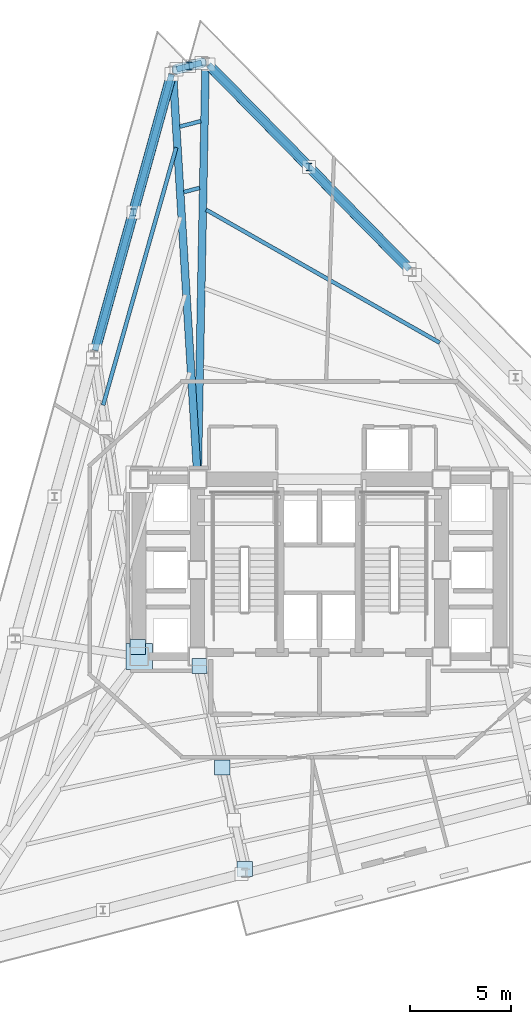
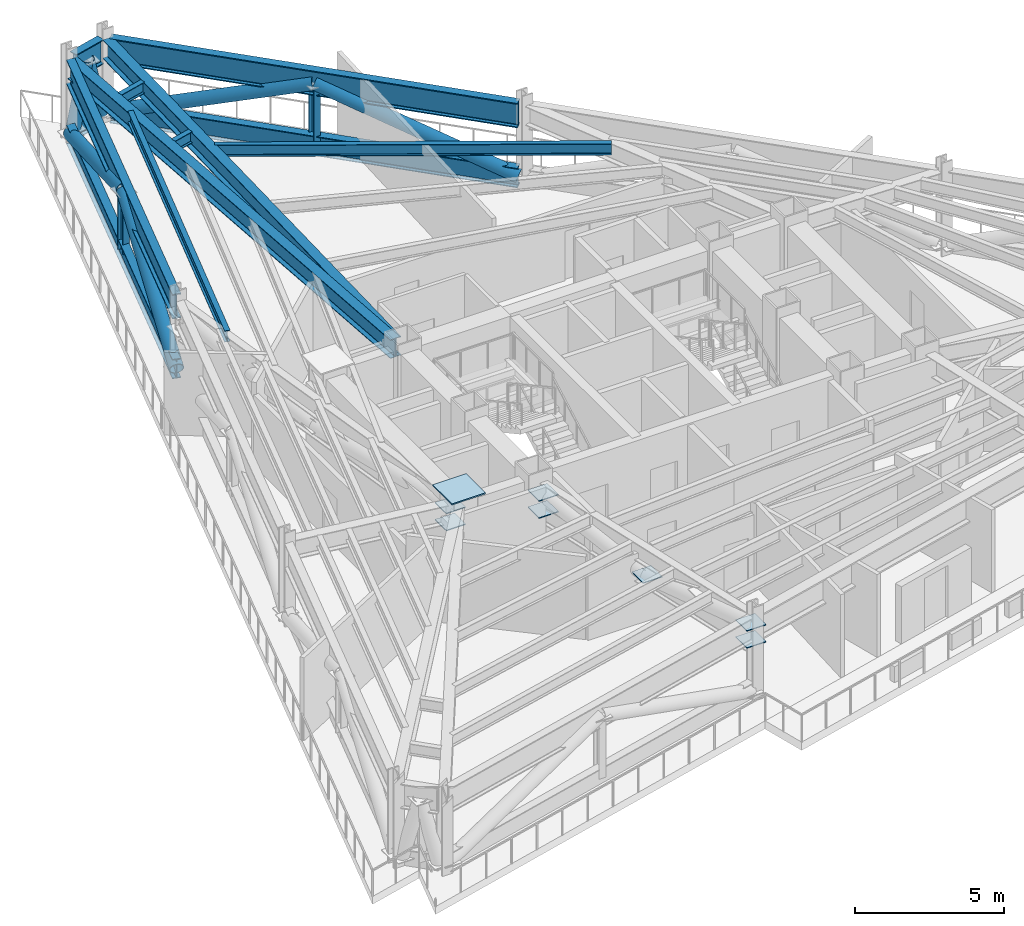
# One storey, part 5 of 11: 12 members, 9 beams, 8 plates.
"""IFC4 building model written with IfcOpenShell, lengths in metres."""

from ifc_helpers import new_model, si_unit, direction, frame, origin, origin_2d, place, context, subcontext, project, spatial, rectangle, hollow_circle, i_section, extrude, material, layer, layer_set, material_profile, profile_set, type_object, element, save


model = new_model("IFC4")

# Units and contexts
model_context = context("Model", 3, precision=1e-05, world=origin(), true_north=direction((0.0, 1.0)))
body_context = subcontext(model_context, "Body", "Model", "MODEL_VIEW")
ifc_project = project(units=[si_unit("LENGTHUNIT", "METRE"), si_unit("AREAUNIT", "SQUARE_METRE"), si_unit("VOLUMEUNIT", "CUBIC_METRE"), si_unit("PLANEANGLEUNIT", "RADIAN"), si_unit("MASSUNIT", "GRAM", prefix="KILO")], contexts=[model_context])

# Site, building, storey
site_placement = place(None, origin())
site = spatial("IfcSite", under=ifc_project, at=site_placement, CompositionType="ELEMENT")
building_placement = place(site_placement, origin())
building = spatial("IfcBuilding", under=site, at=building_placement, Name="Rocaltana Carrier Exchange", CompositionType="ELEMENT")
storey_placement = place(building_placement, frame((0.0, 0.0, 100.800048828125)))
storey = spatial("IfcBuildingStorey", under=building, at=storey_placement, Name="L31", CompositionType="ELEMENT", Elevation=100.800048828125)

# Members
ifc_material_1 = material(Name="Steel S460", Category="steel")
ifc_material_profile_1 = material_profile(ifc_material_1, i_section(OverallWidth=0.300048828125, OverallDepth=0.800048828125, WebThickness=0.017578125, FlangeThickness=0.032958984375, FilletRadius=0.030029296875, at=origin_2d()), Name="HEB800")
ifc_profile_set_1 = profile_set([ifc_material_profile_1], Name="Steel S460")
member_type_1 = type_object("IfcMemberType", Name="Belt Truss Chord HEB800", PredefinedType="CHORD", material=ifc_profile_set_1)
member_1_placement = place(storey_placement, frame((4.462890625, 14.927001953125, 0.349853515625), z_axis=(-0.700903085154, 0.713256521332, 0.0), x_axis=(-0.713256521332, -0.700903085154, 0.0)))
element("IfcMember", 1, at=member_1_placement, inside=storey, type_object=member_type_1, Name="L31 Belt Truss Bottom Chord 3", PredefinedType="CHORD", context=body_context, shape_type="SweptSolid", body=[
    extrude(i_section(OverallWidth=0.300048828125, OverallDepth=0.800048828125, WebThickness=0.017578125, FlangeThickness=0.032958984375, FilletRadius=0.030029296875, at=origin_2d()), origin(), (0.0, 0.0, 1.0), 14.229248046875),
])
member_2_placement = place(storey_placement, frame((-5.847900390625, 25.169677734375, 0.349853515625), z_axis=(-0.968125398309, -0.250465992002, 0.0), x_axis=(0.250465992002, -0.968125398309, 0.0)))
element("IfcMember", 2, at=member_2_placement, inside=storey, type_object=member_type_1, Name="L31 Belt Truss Bottom Chord 4", PredefinedType="CHORD", context=body_context, shape_type="SweptSolid", body=[
    extrude(i_section(OverallWidth=0.300048828125, OverallDepth=0.800048828125, WebThickness=0.017578125, FlangeThickness=0.032958984375, FilletRadius=0.030029296875, at=origin_2d()), origin(), (0.0, 0.0, 1.0), 1.28076171875),
])
member_3_placement = place(storey_placement, frame((-7.33740234375, 24.603515625, 0.349853515625), z_axis=(-0.267248280126, -0.963627706518, 0.0), x_axis=(0.963627706518, -0.267248280126, 0.0)))
element("IfcMember", 3, at=member_3_placement, inside=storey, type_object=member_type_1, Name="L31 Belt Truss Bottom Chord 5", PredefinedType="CHORD", context=body_context, shape_type="SweptSolid", body=[
    extrude(i_section(OverallWidth=0.300048828125, OverallDepth=0.800048828125, WebThickness=0.017578125, FlangeThickness=0.032958984375, FilletRadius=0.030029296875, at=origin_2d()), origin(), (0.0, 0.0, 1.0), 14.229248046875),
])
ifc_material_2 = material(Name="Steel S460", Category="steel")
ifc_material_profile_2 = material_profile(ifc_material_2, hollow_circle(Radius=0.25390625, WallThickness=0.02001953125, at=origin_2d()), Name="CHS508X20")
ifc_profile_set_2 = profile_set([ifc_material_profile_2], Name="Steel S460")
member_type_2 = type_object("IfcMemberType", Name="Belt Truss Diagonal CHS508", PredefinedType="BRACE", material=ifc_profile_set_2)
member_4_placement = place(storey_placement, frame((4.462890625, 14.927001953125, 0.349853515625), z_axis=(-0.661615920699, 0.673276634076, 0.330095361199), x_axis=(-0.713256372776, -0.700903236328, 0.0)))
element("IfcMember", 4, at=member_4_placement, inside=storey, type_object=member_type_2, Name="L31 Belt Truss Diagonal 3A", PredefinedType="BRACE", context=body_context, shape_type="SweptSolid", body=[
    extrude(hollow_circle(Radius=0.25390625, WallThickness=0.02001953125, at=origin_2d()), origin(), (0.0, 0.0, 1.0), 7.537353515625),
])
member_5_placement = place(storey_placement, frame((-0.52392578125, 20.001708984375, 2.837890625), z_axis=(-0.661612136758, 0.673273354346, -0.330109634551), x_axis=(-0.713256669895, -0.700902933972, 0.0)))
element("IfcMember", 5, at=member_5_placement, inside=storey, type_object=member_type_2, Name="L31 Belt Truss Diagonal 3B", PredefinedType="BRACE", context=body_context, shape_type="SweptSolid", body=[
    extrude(hollow_circle(Radius=0.25390625, WallThickness=0.02001953125, at=origin_2d()), origin(), (0.0, 0.0, 1.0), 7.537109375),
])
for number, where, z_axis, x_axis, name in (
    (6, (-5.847900390625, 25.169677734375, 0.349853515625), (-0.24136927529, -0.062432918845, 0.968422946646), (0.250419779836, -0.96813735279, 0.0), "L31 Belt Truss Diagonal 4A"),
    (7, (-6.468017578125, 25.00927734375, 2.837890625), (-0.241279781144, -0.062434350615, -0.968445155429), (0.250512220656, -0.968113437208, 0.0), "L31 Belt Truss Diagonal 4B"),
):
    element("IfcMember", number, at=place(storey_placement, frame(where, z_axis=z_axis, x_axis=x_axis)), inside=storey, type_object=member_type_2, Name=name, PredefinedType="BRACE", context=body_context, shape_type="SweptSolid", body=[
        extrude(hollow_circle(Radius=0.25390625, WallThickness=0.02001953125, at=origin_2d()), origin(), (0.0, 0.0, 1.0), 2.569091796875),
    ])
for number, where, z_axis, x_axis, name in (
    (8, (-7.33740234375, 24.603515625, 0.349853515625), (-0.252271185161, -0.909608005971, 0.330109867485), (0.963626481057, -0.267252698781, 0.0), "L31 Belt Truss Diagonal 5A"),
    (9, (-9.23876953125, 17.747802734375, 2.837890625), (-0.252263752366, -0.909613597064, -0.330100141289), (0.963628931919, -0.267243861612, 0.0), "L31 Belt Truss Diagonal 5B"),
):
    element("IfcMember", number, at=place(storey_placement, frame(where, z_axis=z_axis, x_axis=x_axis)), inside=storey, type_object=member_type_2, Name=name, PredefinedType="BRACE", context=body_context, shape_type="SweptSolid", body=[
        extrude(hollow_circle(Radius=0.25390625, WallThickness=0.02001953125, at=origin_2d()), origin(), (0.0, 0.0, 1.0), 7.537109375),
    ])
ifc_material_3 = material(Name="Steel S460", Category="steel")
ifc_material_profile_3 = material_profile(ifc_material_3, i_section(OverallWidth=0.257080078125, OverallDepth=0.363037109375, WebThickness=0.012939453125, FlangeThickness=0.021728515625, FilletRadius=0.014892578125, at=origin_2d()), Name="W14X82")
ifc_profile_set_3 = profile_set([ifc_material_profile_3], Name="Steel S460")
member_type_3 = type_object("IfcMemberType", Name="Belt Truss Post W14X82", PredefinedType="POST", material=ifc_profile_set_3)
for number, where, z_axis, x_axis, name in (
    (10, (-0.52392578125, 20.001708984375, 0.349853515625), (0.0, 0.0, 1.0), (1.0, 0.0, 0.0), "L31 Belt Truss Post 3"),
    (11, (-6.468017578125, 25.00927734375, 0.349853515625), (0.0, 0.0, 1.0), (1.0, 0.0, 0.0), "L31 Belt Truss Post 4"),
    (12, (-9.23876953125, 17.747802734375, 0.349853515625), (0.0, 0.0, 1.0), (1.0, 0.0, 0.0), "L31 Belt Truss Post 5"),
):
    element("IfcMember", number, at=place(storey_placement, frame(where, z_axis=z_axis, x_axis=x_axis)), inside=storey, type_object=member_type_3, Name=name, PredefinedType="POST", context=body_context, shape_type="SweptSolid", body=[
        extrude(i_section(OverallWidth=0.257080078125, OverallDepth=0.363037109375, WebThickness=0.012939453125, FlangeThickness=0.021728515625, FilletRadius=0.014892578125, at=origin_2d()), origin(), (0.0, 0.0, 1.0), 2.488037109375),
    ])

# Beams
ifc_material_4 = material(Name="Steel S355", Category="steel")
ifc_material_profile_4 = material_profile(ifc_material_4, i_section(OverallWidth=0.193115234375, OverallDepth=0.466064453125, WebThickness=0.011474609375, FlangeThickness=0.01904296875, FilletRadius=0.013916015625, at=origin_2d()), Name="W18X65")
ifc_profile_set_4 = profile_set([ifc_material_profile_4], Name="Steel S355")
beam_type_1 = type_object("IfcBeamType", Name="Floor Joist W18X65", PredefinedType="JOIST", material=ifc_profile_set_4)
beam_1_placement = place(storey_placement, frame((5.965087890625, 11.275146484375, 3.18505859375), z_axis=(-0.86903580715, 0.494749194937, 0.0), x_axis=(-0.494749194937, -0.86903580715, 0.0)))
element("IfcBeam", 13, at=beam_1_placement, inside=storey, type_object=beam_type_1, Name="FJ-L31-03-3", PredefinedType="JOIST", context=body_context, shape_type="SweptSolid", body=[
    extrude(i_section(OverallWidth=0.193115234375, OverallDepth=0.466064453125, WebThickness=0.011474609375, FlangeThickness=0.01904296875, FilletRadius=0.013916015625, at=origin_2d()), origin(), (0.0, 0.0, 1.0), 13.34375),
])
beam_2_placement = place(storey_placement, frame((-5.9501953125, 18.9580078125, 3.18505859375), z_axis=(-0.968088976855, -0.250606729541, 0.0), x_axis=(0.250606729541, -0.968088976855, 0.0)))
element("IfcBeam", 14, at=beam_2_placement, inside=storey, type_object=beam_type_1, Name="FJ-L31-04-3", PredefinedType="JOIST", context=body_context, shape_type="SweptSolid", body=[
    extrude(i_section(OverallWidth=0.193115234375, OverallDepth=0.466064453125, WebThickness=0.011474609375, FlangeThickness=0.01904296875, FilletRadius=0.013916015625, at=origin_2d()), origin(), (0.0, 0.0, 1.0), 0.810546875),
])
beam_3_placement = place(storey_placement, frame((-5.886474609375, 22.273193359375, 3.18505859375), z_axis=(-0.968128959451, -0.250452226727, 0.0), x_axis=(0.250452226727, -0.968128959451, 0.0)))
element("IfcBeam", 15, at=beam_3_placement, inside=storey, type_object=beam_type_1, Name="FJ-L31-04-4", PredefinedType="JOIST", context=body_context, shape_type="SweptSolid", body=[
    extrude(i_section(OverallWidth=0.193115234375, OverallDepth=0.466064453125, WebThickness=0.011474609375, FlangeThickness=0.01904296875, FilletRadius=0.013916015625, at=origin_2d()), origin(), (0.0, 0.0, 1.0), 1.080078125),
])
beam_4_placement = place(storey_placement, frame((-7.11181640625, 20.967041015625, 3.18505859375), z_axis=(-0.272853270474, -0.962055659924, 0.0), x_axis=(0.962055659924, -0.272853270474, 0.0)))
element("IfcBeam", 16, at=beam_4_placement, inside=storey, type_object=beam_type_1, Name="FJ-L31-05-4", PredefinedType="JOIST", context=body_context, shape_type="SweptSolid", body=[
    extrude(i_section(OverallWidth=0.193115234375, OverallDepth=0.466064453125, WebThickness=0.011474609375, FlangeThickness=0.01904296875, FilletRadius=0.013916015625, at=origin_2d()), origin(), (0.0, 0.0, 1.0), 13.29638671875),
])
ifc_material_5 = material(Name="Steel S355", Category="steel")
ifc_material_profile_5 = material_profile(ifc_material_5, i_section(OverallWidth=0.381103515625, OverallDepth=0.77294921875, WebThickness=0.0166015625, FlangeThickness=0.027099609375, FilletRadius=0.01904296875, at=origin_2d()), Name="W30X173")
ifc_profile_set_5 = profile_set([ifc_material_profile_5], Name="Steel S355")
beam_type_2 = type_object("IfcBeamType", Name="Plant Floor Girder W30X173", PredefinedType="BEAM", material=ifc_profile_set_5)
beam_5_placement = place(storey_placement, frame((-6.041015625, 4.966796875, 3.031494140625), z_axis=(0.019193756189, 0.999815782894, 0.0), x_axis=(-0.999815782894, 0.019193756189, 0.0)))
element("IfcBeam", 17, at=beam_5_placement, inside=storey, type_object=beam_type_2, Name="RG-L31-04", PredefinedType="BEAM", context=body_context, shape_type="SweptSolid", body=[
    extrude(i_section(OverallWidth=0.381103515625, OverallDepth=0.77294921875, WebThickness=0.0166015625, FlangeThickness=0.027099609375, FilletRadius=0.01904296875, at=origin_2d()), origin(), (0.0, 0.0, 1.0), 20.05908203125),
])
beam_6_placement = place(storey_placement, frame((-6.078369140625, 4.966064453125, 3.031494140625), z_axis=(-0.060654317938, 0.998158831908, 0.0), x_axis=(-0.998158831908, -0.060654317938, 0.0)))
element("IfcBeam", 18, at=beam_6_placement, inside=storey, type_object=beam_type_2, Name="RG-L31-05", PredefinedType="BEAM", context=body_context, shape_type="SweptSolid", body=[
    extrude(i_section(OverallWidth=0.381103515625, OverallDepth=0.77294921875, WebThickness=0.0166015625, FlangeThickness=0.027099609375, FilletRadius=0.01904296875, at=origin_2d()), origin(), (0.0, 0.0, 1.0), 19.670654296875),
])
ifc_material_6 = material(Name="Steel S460", Category="steel")
ifc_material_profile_6 = material_profile(ifc_material_6, i_section(OverallWidth=0.302001953125, OverallDepth=1.008056640625, WebThickness=0.02099609375, FlangeThickness=0.0400390625, FilletRadius=0.030029296875, at=origin_2d()), Name="HEM1000")
ifc_profile_set_6 = profile_set([ifc_material_profile_6], Name="Steel S460")
beam_type_3 = type_object("IfcBeamType", Name="Transfer Ring Girder HEM1000", PredefinedType="USERDEFINED", material=ifc_profile_set_6)
beam_7_placement = place(storey_placement, frame((4.465576171875, 14.92431640625, 2.9140625), z_axis=(-0.700906560302, 0.713253106356, 0.0), x_axis=(-0.713253106356, -0.700906560302, 0.0)))
element("IfcBeam", 19, at=beam_7_placement, inside=storey, type_object=beam_type_3, Name="SP-L31-03", ObjectType="TRANSFER GIRDER", PredefinedType="USERDEFINED", context=body_context, shape_type="SweptSolid", body=[
    extrude(i_section(OverallWidth=0.302001953125, OverallDepth=1.008056640625, WebThickness=0.02099609375, FlangeThickness=0.0400390625, FilletRadius=0.030029296875, at=origin_2d()), origin(), (0.0, 0.0, 1.0), 14.2373046875),
])
beam_8_placement = place(storey_placement, frame((-5.843994140625, 25.170654296875, 2.9140625), z_axis=(-0.968138202554, -0.250416494576, 0.0), x_axis=(0.250416494576, -0.968138202554, 0.0)))
element("IfcBeam", 20, at=beam_8_placement, inside=storey, type_object=beam_type_3, Name="SP-L31-04", ObjectType="TRANSFER GIRDER", PredefinedType="USERDEFINED", context=body_context, shape_type="SweptSolid", body=[
    extrude(i_section(OverallWidth=0.302001953125, OverallDepth=1.008056640625, WebThickness=0.02099609375, FlangeThickness=0.0400390625, FilletRadius=0.030029296875, at=origin_2d()), origin(), (0.0, 0.0, 1.0), 1.288818359375),
])
beam_9_placement = place(storey_placement, frame((-7.33642578125, 24.607421875, 2.9140625), z_axis=(-0.267234351395, -0.963631569343, 0.0), x_axis=(0.963631569343, -0.267234351395, 0.0)))
element("IfcBeam", 21, at=beam_9_placement, inside=storey, type_object=beam_type_3, Name="SP-L31-05", ObjectType="TRANSFER GIRDER", PredefinedType="USERDEFINED", context=body_context, shape_type="SweptSolid", body=[
    extrude(i_section(OverallWidth=0.302001953125, OverallDepth=1.008056640625, WebThickness=0.02099609375, FlangeThickness=0.0400390625, FilletRadius=0.030029296875, at=origin_2d()), origin(), (0.0, 0.0, 1.0), 14.2373046875),
])

# Plates
ifc_material_7 = material(Name="Steel S460", Category="steel")
ifc_layer_1 = layer(ifc_material_7, 0.050048828125)
ifc_layer_set_1 = layer_set([ifc_layer_1], Name="Steel S460")
plate_type_1 = type_object("IfcPlateType", Name="Column Splice Cap Plate 1300x1300x50", PredefinedType="SHEET", material=ifc_layer_set_1)
plate_placement = place(storey_placement, frame((-8.949951171875, -4.300048828125, 3.81494140625), z_axis=(0.0, 0.0, 1.0), x_axis=(1.0, 0.0, 0.0)))
element("IfcPlate", 22, at=plate_placement, inside=storey, type_object=plate_type_1, Name="Termination Cap Plate WC2", PredefinedType="SHEET", context=body_context, shape_type="SweptSolid", body=[
    extrude(rectangle(XDim=1.300048828125, YDim=1.300048828125, at=origin_2d()), origin(), (0.0, 0.0, 1.0), 0.050048828125),
])
ifc_material_8 = material(Name="Steel S460", Category="steel")
ifc_layer_2 = layer(ifc_material_8, 0.035888671875)
ifc_layer_set_2 = layer_set([ifc_layer_2], Name="Steel S460")
plate_type_2 = type_object("IfcPlateType", Name="Outrigger Node Gusset Plate 750x750x36", PredefinedType="USERDEFINED", material=ifc_layer_set_2)
for number, where, z_axis, x_axis, name in (
    (23, (-9.019775390625, -3.834228515625, 2.22216796875), (0.0, 0.0, 1.0), (1.0, 0.0, 0.0), "L31 Outrigger Bottom Chord 6 node plate C0"),
    (24, (-9.019775390625, -3.834228515625, 2.919921875), (0.0, 0.0, 1.0), (1.0, 0.0, 0.0), "L31 Outrigger Top Chord 6 node plate C0"),
    (25, (-5.947998046875, -4.759765625, 2.22216796875), (0.0, 0.0, 1.0), (1.0, 0.0, 0.0), "L31 Outrigger Bottom Chord 10 node plate C0"),
    (26, (-3.710693359375, -14.845703125, 2.22216796875), (0.0, 0.0, 1.0), (1.0, 0.0, 0.0), "L31 Outrigger Bottom Chord 10 node plate C1"),
    (27, (-5.947998046875, -4.759765625, 2.919921875), (0.0, 0.0, 1.0), (1.0, 0.0, 0.0), "L31 Outrigger Top Chord 10 node plate C0"),
    (28, (-3.710693359375, -14.845703125, 2.919921875), (0.0, 0.0, 1.0), (1.0, 0.0, 0.0), "L31 Outrigger Top Chord 10 node plate C1"),
    (29, (-4.829345703125, -9.802734375, 2.22216796875), (0.0, 0.0, 1.0), (1.0, 0.0, 0.0), "L31 Outrigger Inner Diagonal 10 node plate C1"),
):
    element("IfcPlate", number, at=place(storey_placement, frame(where, z_axis=z_axis, x_axis=x_axis)), inside=storey, type_object=plate_type_2, Name=name, ObjectType="GUSSET PLATE", PredefinedType="USERDEFINED", context=body_context, shape_type="SweptSolid", body=[
        extrude(rectangle(XDim=0.75, YDim=0.75, at=origin_2d()), origin(), (0.0, 0.0, 1.0), 0.035888671875),
    ])

save(model, "model.ifc")
